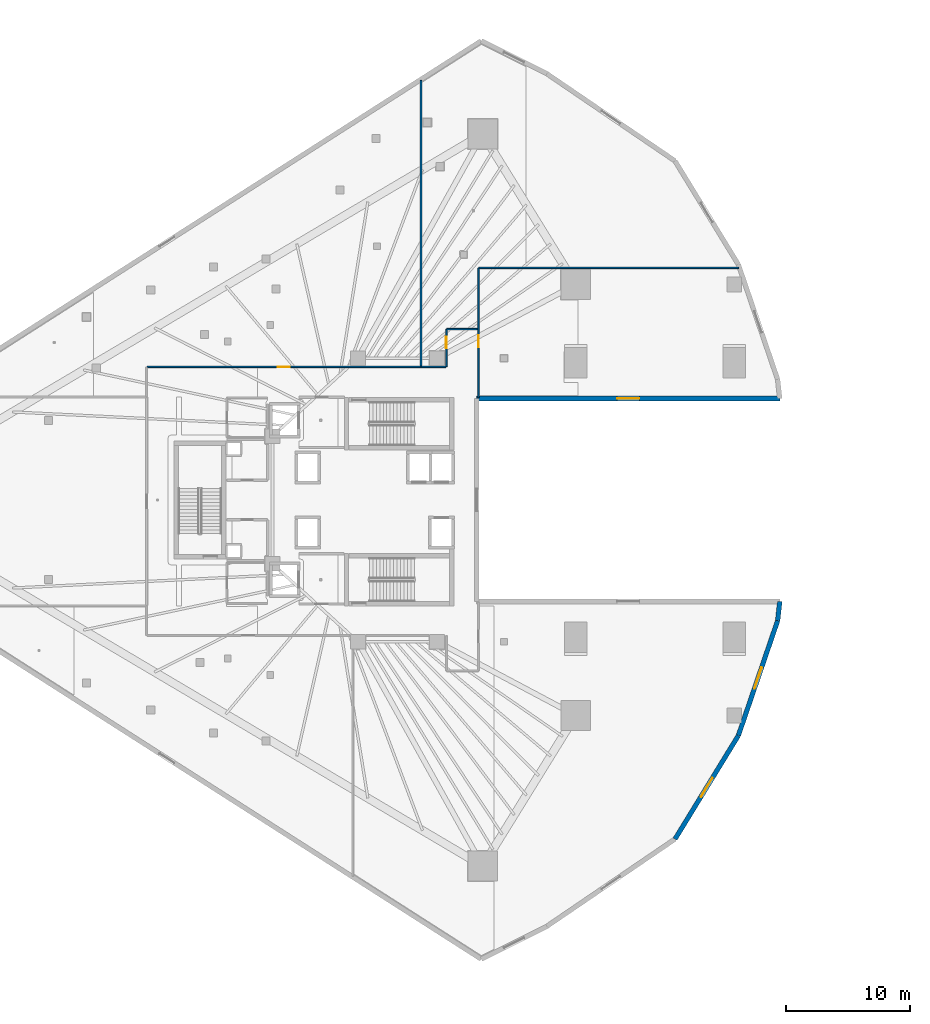
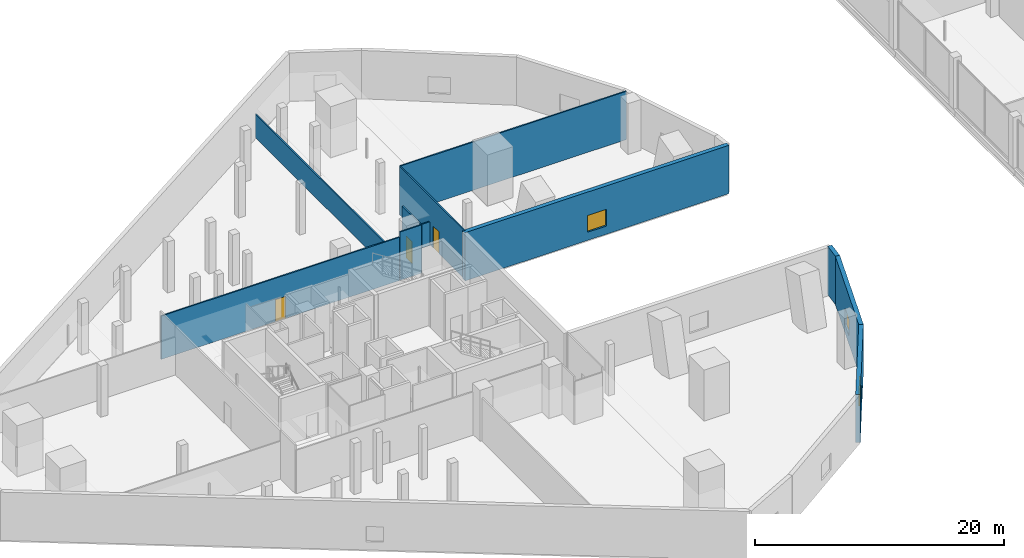
# One storey, part 29 of 47: 11 walls, 3 doors, 3 windows, 6 openings.
"""IFC4 building model written with IfcOpenShell, lengths in metres."""

from ifc_helpers import new_model, si_unit, direction, frame, frame_2d, origin, place, context, subcontext, project, spatial, rectangle, extrude, material, layer, layer_set, type_object, element, fill, save


model = new_model("IFC4")

# Units and contexts
model_context = context("Model", 3, precision=1e-05, world=origin(), true_north=direction((0.0, 1.0)))
body_context = subcontext(model_context, "Body", "Model", "MODEL_VIEW")
ifc_project = project(units=[si_unit("LENGTHUNIT", "METRE"), si_unit("AREAUNIT", "SQUARE_METRE"), si_unit("VOLUMEUNIT", "CUBIC_METRE"), si_unit("PLANEANGLEUNIT", "RADIAN"), si_unit("MASSUNIT", "GRAM", prefix="KILO")], contexts=[model_context])

# Site, building, storey
site_placement = place(None, origin())
site = spatial("IfcSite", under=ifc_project, at=site_placement, CompositionType="ELEMENT")
building_placement = place(site_placement, origin())
building = spatial("IfcBuilding", under=site, at=building_placement, Name="Qorvath Tower", CompositionType="ELEMENT")
storey_placement = place(building_placement, frame((0.0, 0.0, 12.0)))
storey = spatial("IfcBuildingStorey", under=building, at=storey_placement, Name="L02", CompositionType="ELEMENT", Elevation=12.0)

# Wall
ifc_material_1 = material(Name="Gypsum board on metal studs with mineral wool", Category="gypsum")
ifc_layer_1 = layer(ifc_material_1, 0.125)
ifc_layer_set_1 = layer_set([ifc_layer_1], Name="IW-PART-125")
wall_type_1 = type_object("IfcWallType", Name="IW-PART-125", PredefinedType="PARTITIONING", material=ifc_layer_set_1)
wall_1_placement = place(storey_placement, frame((7.15478515625, 18.75, 0.0), z_axis=(0.0, 0.0, 1.0), x_axis=(-1.0, 0.0, 0.0)))
element("IfcWall", 1, at=wall_1_placement, inside=storey, type_object=wall_type_1, Name="Interior Partition IW-T1-L02-019", PredefinedType="PARTITIONING", context=body_context, shape_type="SweptSolid", body=[
    extrude(rectangle(XDim=20.97998046875, YDim=0.125, at=frame_2d((10.489990234375, 0.0))), origin(), (0.0, 0.0, 1.0), 4.739990234375),
])

# Wall, opening, door
wall_2_placement = place(storey_placement, frame((-13.85009765625, 18.72509765625, 0.0), z_axis=(0.0, 0.0, 1.0), x_axis=(0.0, -1.0, 0.0)))
wall_2 = element("IfcWall", 2, at=wall_2_placement, inside=storey, type_object=wall_type_1, Name="Interior Partition IW-T1-L02-020", PredefinedType="PARTITIONING", context=body_context, shape_type="SweptSolid", body=[
    extrude(rectangle(XDim=10.445068359375, YDim=0.125, at=frame_2d((5.22265625, 0.0))), origin(), (0.0, 0.0, 1.0), 4.739990234375),
])
opening_1_placement = place(wall_2_placement, frame((5.42578125, 0.0, 0.0)))
opening_1 = element("IfcOpeningElement", 3, at=opening_1_placement, cuts=wall_2, Name="Opening D-T1-L02-05", PredefinedType="OPENING", context=body_context, shape_type="SweptSolid", body=[
    extrude(rectangle(XDim=0.949951171875, YDim=2.14990234375, at=frame_2d((0.47509765625, 1.074951171875))), frame((0.0, 0.072509765625, 0.0), z_axis=(0.0, -1.0, 0.0), x_axis=(1.0, 0.0, 0.0)), (0.0, 0.0, 1.0), 0.14501953125),
])
ifc_material_2 = material(Name="Solid-core American white oak veneer", Category="wood")
door_type = type_object("IfcDoorType", Name="D-01", OperationType="NOTDEFINED", PredefinedType="DOOR", material=ifc_material_2)
door_1_placement = place(opening_1_placement, origin())
door_1 = element("IfcDoor", 4, at=door_1_placement, inside=storey, type_object=door_type, Name="L02-01 Back of House Catering Kitchen Door D-T1-L02-05", OperationType="SINGLE_SWING_LEFT", OverallHeight=2.14990234375, OverallWidth=0.949951171875, PredefinedType="DOOR", context=body_context, shape_type="SweptSolid", body=[
    extrude(rectangle(XDim=0.949951171875, YDim=2.14990234375, at=frame_2d((0.47509765625, 1.074951171875))), frame((0.0, 0.02490234375, 0.0), z_axis=(0.0, -1.0, 0.0), x_axis=(1.0, 0.0, 0.0)), (0.0, 0.0, 1.0), 0.050048828125),
])
fill(opening_1, door_1)

# Walls
wall_3_placement = place(storey_placement, frame((-18.5, 33.9052734375, 0.0), z_axis=(0.0, 0.0, 1.0), x_axis=(0.0, -1.0, 0.0)))
element("IfcWall", 5, at=wall_3_placement, inside=storey, type_object=wall_type_1, Name="Interior Partition IW-T1-L02-021", PredefinedType="PARTITIONING", context=body_context, shape_type="SweptSolid", body=[
    extrude(rectangle(XDim=23.1220703125, YDim=0.125, at=frame_2d((11.56103515625, 0.0))), origin(), (0.0, 0.0, 1.0), 2.31005859375),
])
wall_4_placement = place(storey_placement, frame((-18.47509765625, 10.758056640625, 0.0), z_axis=(0.0, 0.0, 1.0), x_axis=(1.0, 0.0, 0.0)))
element("IfcWall", 6, at=wall_4_placement, inside=storey, type_object=wall_type_1, Name="Interior Partition IW-T1-L02-022", PredefinedType="PARTITIONING", context=body_context, shape_type="SweptSolid", body=[
    extrude(rectangle(XDim=1.9921875, YDim=0.125, at=frame_2d((0.99609375, 0.0))), origin(), (0.0, 0.0, 1.0), 4.739990234375),
])

# Wall, opening, door
wall_5_placement = place(storey_placement, frame((-16.4580078125, 13.783203125, 0.0), z_axis=(0.0, 0.0, 1.0), x_axis=(0.0, -1.0, 0.0)))
wall_5 = element("IfcWall", 7, at=wall_5_placement, inside=storey, type_object=wall_type_1, Name="Interior Partition IW-T1-L02-023", PredefinedType="PARTITIONING", context=body_context, shape_type="SweptSolid", body=[
    extrude(rectangle(XDim=3.0, YDim=0.125, at=frame_2d((1.5, 0.0))), origin(), (0.0, 0.0, 1.0), 4.739990234375),
])
opening_2_placement = place(wall_5_placement, frame((0.585693359375, 0.0, 0.0)))
opening_2 = element("IfcOpeningElement", 8, at=opening_2_placement, cuts=wall_5, Name="Opening D-T1-L02-06", PredefinedType="OPENING", context=body_context, shape_type="SweptSolid", body=[
    extrude(rectangle(XDim=0.949951171875, YDim=2.14990234375, at=frame_2d((0.47509765625, 1.074951171875))), frame((0.0, 0.072509765625, 0.0), z_axis=(0.0, -1.0, 0.0), x_axis=(1.0, 0.0, 0.0)), (0.0, 0.0, 1.0), 0.14501953125),
])
door_2_placement = place(opening_2_placement, origin())
door_2 = element("IfcDoor", 9, at=door_2_placement, inside=storey, type_object=door_type, Name="L02-02 Staff Refreshment Pantry and Cafe Door D-T1-L02-06", OperationType="SINGLE_SWING_RIGHT", OverallHeight=2.14990234375, OverallWidth=0.949951171875, PredefinedType="DOOR", context=body_context, shape_type="SweptSolid", body=[
    extrude(rectangle(XDim=0.949951171875, YDim=2.14990234375, at=frame_2d((0.47509765625, 1.074951171875))), frame((0.0, 0.02490234375, 0.0), z_axis=(0.0, -1.0, 0.0), x_axis=(1.0, 0.0, 0.0)), (0.0, 0.0, 1.0), 0.050048828125),
])
fill(opening_2, door_2)

# Wall
wall_6_placement = place(storey_placement, frame((-16.43310546875, 13.80810546875, 0.0), z_axis=(0.0, 0.0, 1.0), x_axis=(1.0, 0.0, 0.0)))
element("IfcWall", 10, at=wall_6_placement, inside=storey, type_object=wall_type_1, Name="Interior Partition IW-T1-L02-024", PredefinedType="PARTITIONING", context=body_context, shape_type="SweptSolid", body=[
    extrude(rectangle(XDim=2.472900390625, YDim=0.125, at=frame_2d((1.236328125, 0.0))), origin(), (0.0, 0.0, 1.0), 2.31005859375),
])

# Wall, opening, door
wall_7_placement = place(storey_placement, frame((-40.633056640625, 10.758056640625, 0.0), z_axis=(0.0, 0.0, 1.0), x_axis=(1.0, 0.0, 0.0)))
wall_7 = element("IfcWall", 11, at=wall_7_placement, inside=storey, type_object=wall_type_1, Name="Interior Partition IW-T1-L02-026", PredefinedType="PARTITIONING", context=body_context, shape_type="SweptSolid", body=[
    extrude(rectangle(XDim=22.099853515625, YDim=0.125, at=frame_2d((11.0498046875, 0.0))), origin(), (0.0, 0.0, 1.0), 4.2529296875),
])
opening_3_placement = place(wall_7_placement, frame((10.574951171875, 0.0, 0.0)))
opening_3 = element("IfcOpeningElement", 12, at=opening_3_placement, cuts=wall_7, Name="Opening D-T1-L02-07", PredefinedType="OPENING", context=body_context, shape_type="SweptSolid", body=[
    extrude(rectangle(XDim=0.949951171875, YDim=2.14990234375, at=frame_2d((0.47509765625, 1.074951171875))), frame((0.0, 0.072509765625, 0.0), z_axis=(0.0, -1.0, 0.0), x_axis=(1.0, 0.0, 0.0)), (0.0, 0.0, 1.0), 0.14501953125),
])
door_3_placement = place(opening_3_placement, origin())
door_3 = element("IfcDoor", 13, at=door_3_placement, inside=storey, type_object=door_type, Name="L02-03 Open Workplace Studio Door D-T1-L02-07", OperationType="SINGLE_SWING_LEFT", OverallHeight=2.14990234375, OverallWidth=0.949951171875, PredefinedType="DOOR", context=body_context, shape_type="SweptSolid", body=[
    extrude(rectangle(XDim=0.949951171875, YDim=2.14990234375, at=frame_2d((0.47509765625, 1.074951171875))), frame((0.0, 0.02490234375, 0.0), z_axis=(0.0, -1.0, 0.0), x_axis=(1.0, 0.0, 0.0)), (0.0, 0.0, 1.0), 0.050048828125),
])
fill(opening_3, door_3)

# Wall, opening, window
ifc_material_3 = material(Name="Precast concrete C50/60", Category="concrete")
ifc_layer_2 = layer(ifc_material_3, 0.3798828125)
ifc_layer_set_2 = layer_set([ifc_layer_2], Name="WL-EW-POD-380")
wall_type_2 = type_object("IfcWallType", Name="WL-EW-POD-380", PredefinedType="SOLIDWALL", material=ifc_layer_set_2)
wall_8_placement = place(storey_placement, frame((-14.0, 8.199951171875, 0.0), z_axis=(0.0, 0.0, 1.0), x_axis=(1.0, 0.0, 0.0)))
wall_8 = element("IfcWall", 14, at=wall_8_placement, inside=storey, type_object=wall_type_2, Name="Tower Podium Precast Facade Wall L02-3.1", PredefinedType="SOLIDWALL", context=body_context, shape_type="SweptSolid", body=[
    extrude(rectangle(XDim=24.483154296875, YDim=0.3798828125, at=frame_2d((12.24169921875, 0.0))), origin(), (0.0, 0.0, 1.0), 4.739990234375),
])
opening_4_placement = place(wall_8_placement, frame((11.341552734375, 0.0, 0.800048828125)))
opening_4 = element("IfcOpeningElement", 15, at=opening_4_placement, cuts=wall_8, Name="Opening WN-L02-017", PredefinedType="OPENING", context=body_context, shape_type="SweptSolid", body=[
    extrude(rectangle(XDim=1.800048828125, YDim=1.64990234375, at=frame_2d((0.89990234375, 0.824951171875))), frame((0.0, 0.199951171875, 0.0), z_axis=(0.0, -1.0, 0.0), x_axis=(1.0, 0.0, 0.0)), (0.0, 0.0, 1.0), 0.39990234375),
])
ifc_material_4 = material(Name="Thermally broken aluminium and triple low-E glass", Category="aluminium")
window_type = type_object("IfcWindowType", Name="WN-1", PartitioningType="SINGLE_PANEL", PredefinedType="WINDOW", material=ifc_material_4)
window_1_placement = place(opening_4_placement, origin())
window_1 = element("IfcWindow", 16, at=window_1_placement, inside=storey, type_object=window_type, Name="Podium Punched Window L02-017", OverallHeight=1.64990234375, OverallWidth=1.800048828125, PartitioningType="SINGLE_PANEL", PredefinedType="WINDOW", context=body_context, shape_type="SweptSolid", body=[
    extrude(rectangle(XDim=1.800048828125, YDim=1.64990234375, at=frame_2d((0.89990234375, 0.824951171875))), frame((0.0, 0.030029296875, 0.0), z_axis=(0.0, -1.0, 0.0), x_axis=(1.0, 0.0, 0.0)), (0.0, 0.0, 1.0), 0.06005859375),
])
fill(opening_4, window_1)

wall_9_placement = place(storey_placement, frame((7.139404296875, -19.029052734375, 0.0), z_axis=(0.0, 0.0, 1.0), x_axis=(-0.521922160909, -0.852993117178, 0.0)))
wall_9 = element("IfcWall", 17, at=wall_9_placement, inside=storey, type_object=wall_type_2, Name="Tower Podium Precast Facade Wall L02-14.1", PredefinedType="SOLIDWALL", context=body_context, shape_type="SweptSolid", body=[
    extrude(rectangle(XDim=9.807861328125, YDim=0.3798828125, at=frame_2d((4.90380859375, 0.0))), origin(), (0.0, 0.0, 1.0), 4.739990234375),
])
opening_5_placement = place(wall_9_placement, frame((4.00390625, 0.0, 0.800048828125)))
opening_5 = element("IfcOpeningElement", 18, at=opening_5_placement, cuts=wall_9, Name="Opening WN-L02-027", PredefinedType="OPENING", context=body_context, shape_type="SweptSolid", body=[
    extrude(rectangle(XDim=1.800048828125, YDim=1.64990234375, at=frame_2d((0.89990234375, 0.824951171875))), frame((0.0, 0.199951171875, 0.0), z_axis=(0.0, -1.0, 0.0), x_axis=(1.0, 0.0, 0.0)), (0.0, 0.0, 1.0), 0.39990234375),
])
window_2_placement = place(opening_5_placement, origin())
window_2 = element("IfcWindow", 19, at=window_2_placement, inside=storey, type_object=window_type, Name="Podium Punched Window L02-027", OverallHeight=1.64990234375, OverallWidth=1.800048828125, PartitioningType="SINGLE_PANEL", PredefinedType="WINDOW", context=body_context, shape_type="SweptSolid", body=[
    extrude(rectangle(XDim=1.800048828125, YDim=1.64990234375, at=frame_2d((0.89990234375, 0.824951171875))), frame((0.0, 0.030029296875, 0.0), z_axis=(0.0, -1.0, 0.0), x_axis=(1.0, 0.0, 0.0)), (0.0, 0.0, 1.0), 0.06005859375),
])
fill(opening_5, window_2)

wall_10_placement = place(storey_placement, frame((10.3125, -9.748779296875, 0.0), z_axis=(0.0, 0.0, 1.0), x_axis=(-0.323529337119, -0.946218139767, 0.0)))
wall_10 = element("IfcWall", 20, at=wall_10_placement, inside=storey, type_object=wall_type_2, Name="Tower Podium Precast Facade Wall L02-15.1", PredefinedType="SOLIDWALL", context=body_context, shape_type="SweptSolid", body=[
    extrude(rectangle(XDim=9.807861328125, YDim=0.3798828125, at=frame_2d((4.90380859375, 0.0))), origin(), (0.0, 0.0, 1.0), 4.739990234375),
])
opening_6_placement = place(wall_10_placement, frame((4.00390625, 0.0, 0.800048828125)))
opening_6 = element("IfcOpeningElement", 21, at=opening_6_placement, cuts=wall_10, Name="Opening WN-L02-028", PredefinedType="OPENING", context=body_context, shape_type="SweptSolid", body=[
    extrude(rectangle(XDim=1.800048828125, YDim=1.64990234375, at=frame_2d((0.89990234375, 0.824951171875))), frame((0.0, 0.199951171875, 0.0), z_axis=(0.0, -1.0, 0.0), x_axis=(1.0, 0.0, 0.0)), (0.0, 0.0, 1.0), 0.39990234375),
])
window_3_placement = place(opening_6_placement, origin())
window_3 = element("IfcWindow", 22, at=window_3_placement, inside=storey, type_object=window_type, Name="Podium Punched Window L02-028", OverallHeight=1.64990234375, OverallWidth=1.800048828125, PartitioningType="SINGLE_PANEL", PredefinedType="WINDOW", context=body_context, shape_type="SweptSolid", body=[
    extrude(rectangle(XDim=1.800048828125, YDim=1.64990234375, at=frame_2d((0.89990234375, 0.824951171875))), frame((0.0, 0.030029296875, 0.0), z_axis=(0.0, -1.0, 0.0), x_axis=(1.0, 0.0, 0.0)), (0.0, 0.0, 1.0), 0.06005859375),
])
fill(opening_6, window_3)

# Wall
wall_11_placement = place(storey_placement, frame((10.483154296875, -8.199951171875, 0.0), z_axis=(0.0, 0.0, 1.0), x_axis=(-0.109520054504, -0.993984586229, 0.0)))
element("IfcWall", 23, at=wall_11_placement, inside=storey, type_object=wall_type_2, Name="Tower Podium Precast Facade Wall L02-16.1", PredefinedType="SOLIDWALL", context=body_context, shape_type="SweptSolid", body=[
    extrude(rectangle(XDim=1.55810546875, YDim=0.3798828125, at=frame_2d((0.779052734375, 0.0))), origin(), (0.0, 0.0, 1.0), 4.739990234375),
])

save(model, "model.ifc")
